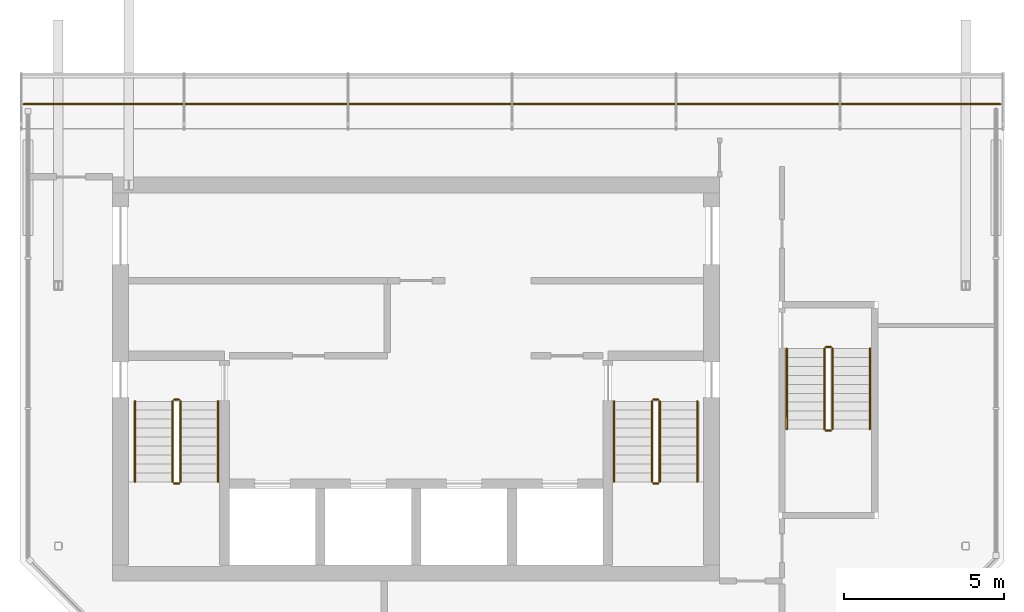
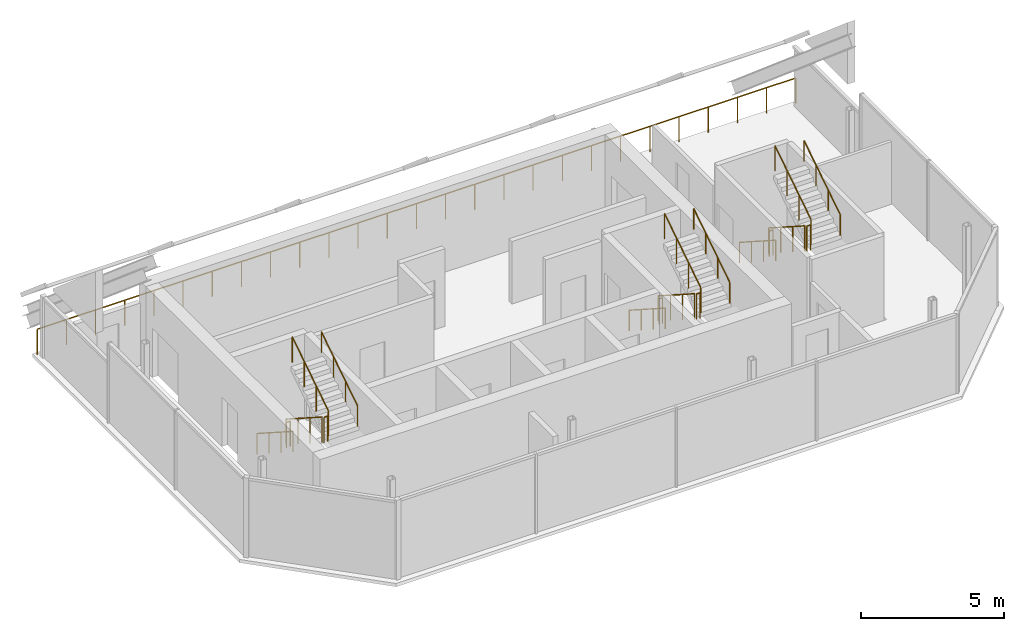
# One storey, part 4 of 4: 19 railings.
"""IFC4 building model written with IfcOpenShell, lengths in metres."""

from ifc_helpers import new_model, si_unit, direction, frame, origin, origin_2d, place, context, subcontext, project, spatial, circle, extrude, material, type_object, element, save


model = new_model("IFC4")

# Units and contexts
model_context = context("Model", 3, precision=1e-05, world=origin(), true_north=direction((0.0, 1.0)))
body_context = subcontext(model_context, "Body", "Model", "MODEL_VIEW")
ifc_project = project(units=[si_unit("LENGTHUNIT", "METRE"), si_unit("AREAUNIT", "SQUARE_METRE"), si_unit("VOLUMEUNIT", "CUBIC_METRE"), si_unit("PLANEANGLEUNIT", "RADIAN"), si_unit("MASSUNIT", "GRAM", prefix="KILO")], contexts=[model_context])

# Site, building, storey
site_placement = place(None, origin())
site = spatial("IfcSite", under=ifc_project, at=site_placement, CompositionType="ELEMENT")
building_placement = place(site_placement, origin())
building = spatial("IfcBuilding", under=site, at=building_placement, Name="Tskaro Facet Tower", CompositionType="ELEMENT")
storey_placement = place(building_placement, frame((0.0, 0.0, 308.10009765625)))
storey = spatial("IfcBuildingStorey", under=building, at=storey_placement, Name="L83", CompositionType="ELEMENT", Elevation=308.10009765625)

# Railings
ifc_material_1 = material(Name="Bronze anodised aluminium 6063-T6", Category="aluminium")
railing_type_1 = type_object("IfcRailingType", Name="Bronze guard rail (GD1)", PredefinedType="GUARDRAIL", material=ifc_material_1)
railing_1_placement = place(storey_placement, frame((18.280029296875, 2.927001953125, 0.0)))
element("IfcRailing", 1, at=railing_1_placement, inside=storey, type_object=railing_type_1, Name="Guard L83", PredefinedType="GUARDRAIL", context=body_context, shape_type="SweptSolid", body=[
    extrude(circle(Radius=0.02490234375, at=origin_2d()), frame((0.0, 0.0, 1.0751953125), z_axis=(-1.0, 0.0, 0.0), x_axis=(0.0, -1.0, 0.0)), (0.0, 0.0, 1.0), 30.56005859375),
    extrude(circle(Radius=0.02001953125, at=origin_2d()), origin(), (0.0, 0.0, 1.0), 1.050048828125),
    extrude(circle(Radius=0.02001953125, at=origin_2d()), frame((-1.17529296875, 0.0, 0.0)), (0.0, 0.0, 1.0), 1.050048828125),
    extrude(circle(Radius=0.02001953125, at=origin_2d()), frame((-2.350830078125, 0.0, 0.0)), (0.0, 0.0, 1.0), 1.050048828125),
    extrude(circle(Radius=0.02001953125, at=origin_2d()), frame((-3.526123046875, 0.0, 0.0)), (0.0, 0.0, 1.0), 1.050048828125),
    extrude(circle(Radius=0.02001953125, at=origin_2d()), frame((-4.70166015625, 0.0, 0.0)), (0.0, 0.0, 1.0), 1.050048828125),
    extrude(circle(Radius=0.02001953125, at=origin_2d()), frame((-5.876953125, 0.0, 0.0)), (0.0, 0.0, 1.0), 1.050048828125),
    extrude(circle(Radius=0.02001953125, at=origin_2d()), frame((-7.05224609375, 0.0, 0.0)), (0.0, 0.0, 1.0), 1.050048828125),
    extrude(circle(Radius=0.02001953125, at=origin_2d()), frame((-8.227783203125, 0.0, 0.0)), (0.0, 0.0, 1.0), 1.050048828125),
    extrude(circle(Radius=0.02001953125, at=origin_2d()), frame((-9.403076171875, 0.0, 0.0)), (0.0, 0.0, 1.0), 1.050048828125),
    extrude(circle(Radius=0.02001953125, at=origin_2d()), frame((-10.578369140625, 0.0, 0.0)), (0.0, 0.0, 1.0), 1.050048828125),
    extrude(circle(Radius=0.02001953125, at=origin_2d()), frame((-11.75390625, 0.0, 0.0)), (0.0, 0.0, 1.0), 1.050048828125),
    extrude(circle(Radius=0.02001953125, at=origin_2d()), frame((-12.92919921875, 0.0, 0.0)), (0.0, 0.0, 1.0), 1.050048828125),
    extrude(circle(Radius=0.02001953125, at=origin_2d()), frame((-14.104736328125, 0.0, 0.0)), (0.0, 0.0, 1.0), 1.050048828125),
    extrude(circle(Radius=0.02001953125, at=origin_2d()), frame((-15.280029296875, 0.0, 0.0)), (0.0, 0.0, 1.0), 1.050048828125),
    extrude(circle(Radius=0.02001953125, at=origin_2d()), frame((-16.455322265625, 0.0, 0.0)), (0.0, 0.0, 1.0), 1.050048828125),
    extrude(circle(Radius=0.02001953125, at=origin_2d()), frame((-17.630859375, 0.0, 0.0)), (0.0, 0.0, 1.0), 1.050048828125),
    extrude(circle(Radius=0.02001953125, at=origin_2d()), frame((-18.80615234375, 0.0, 0.0)), (0.0, 0.0, 1.0), 1.050048828125),
    extrude(circle(Radius=0.02001953125, at=origin_2d()), frame((-19.981689453125, 0.0, 0.0)), (0.0, 0.0, 1.0), 1.050048828125),
    extrude(circle(Radius=0.02001953125, at=origin_2d()), frame((-21.156982421875, 0.0, 0.0)), (0.0, 0.0, 1.0), 1.050048828125),
    extrude(circle(Radius=0.02001953125, at=origin_2d()), frame((-22.332275390625, 0.0, 0.0)), (0.0, 0.0, 1.0), 1.050048828125),
    extrude(circle(Radius=0.02001953125, at=origin_2d()), frame((-23.5078125, 0.0, 0.0)), (0.0, 0.0, 1.0), 1.050048828125),
    extrude(circle(Radius=0.02001953125, at=origin_2d()), frame((-24.68310546875, 0.0, 0.0)), (0.0, 0.0, 1.0), 1.050048828125),
    extrude(circle(Radius=0.02001953125, at=origin_2d()), frame((-25.8583984375, 0.0, 0.0)), (0.0, 0.0, 1.0), 1.050048828125),
    extrude(circle(Radius=0.02001953125, at=origin_2d()), frame((-27.033935546875, 0.0, 0.0)), (0.0, 0.0, 1.0), 1.050048828125),
    extrude(circle(Radius=0.02001953125, at=origin_2d()), frame((-28.209228515625, 0.0, 0.0)), (0.0, 0.0, 1.0), 1.050048828125),
    extrude(circle(Radius=0.02001953125, at=origin_2d()), frame((-29.384765625, 0.0, 0.0)), (0.0, 0.0, 1.0), 1.050048828125),
    extrude(circle(Radius=0.02001953125, at=origin_2d()), frame((-30.56005859375, 0.0, 0.0)), (0.0, 0.0, 1.0), 1.050048828125),
])
ifc_material_2 = material(Name="Stainless steel", Category="steel")
railing_type_2 = type_object("IfcRailingType", Name="RL-GUARD-1100", PredefinedType="GUARDRAIL", material=ifc_material_2)
railing_2_placement = place(storey_placement, frame((-7.625, -6.375, 0.179931640625)))
element("IfcRailing", 2, at=railing_2_placement, inside=storey, type_object=railing_type_2, Name="L83 ST-1 stair guard 1", PredefinedType="GUARDRAIL", context=body_context, shape_type="SweptSolid", body=[
    extrude(circle(Radius=0.02392578125, at=origin_2d()), frame((0.0, 0.0, 1.076171875), z_axis=(0.0, -0.841199657755, 0.540724639528), x_axis=(1.0, 0.0, 0.0)), (0.0, 0.0, 1.0), 2.995849609375),
    extrude(circle(Radius=0.02099609375, at=origin_2d()), origin(), (0.0, 0.0, 1.0), 1.052001953125),
    extrude(circle(Radius=0.02099609375, at=origin_2d()), frame((0.0, -0.840087890625, 0.5400390625)), (0.0, 0.0, 1.0), 1.052001953125),
    extrude(circle(Radius=0.02099609375, at=origin_2d()), frame((0.0, -1.679931640625, 1.079833984375)), (0.0, 0.0, 1.0), 1.052001953125),
    extrude(circle(Radius=0.02099609375, at=origin_2d()), frame((0.0, -2.52001953125, 1.619873046875)), (0.0, 0.0, 1.0), 1.052001953125),
])
railing_3_placement = place(storey_placement, frame((-7.574951171875, -8.945068359375, 1.7998046875)))
element("IfcRailing", 3, at=railing_3_placement, inside=storey, type_object=railing_type_2, Name="L83 ST-1 stair guard 2", PredefinedType="GUARDRAIL", context=body_context, shape_type="SweptSolid", body=[
    extrude(circle(Radius=0.02392578125, at=origin_2d()), frame((0.0, 0.0, 1.076171875), z_axis=(1.0, 0.0, 0.0), x_axis=(0.0, 1.0, 0.0)), (0.0, 0.0, 1.0), 0.14990234375),
    extrude(circle(Radius=0.02099609375, at=origin_2d()), origin(), (0.0, 0.0, 1.0), 1.052001953125),
    extrude(circle(Radius=0.02099609375, at=origin_2d()), frame((0.14990234375, 0.0, 0.0)), (0.0, 0.0, 1.0), 1.052001953125),
])
railing_4_placement = place(storey_placement, frame((-7.375, -8.89501953125, 1.97998046875)))
element("IfcRailing", 4, at=railing_4_placement, inside=storey, type_object=railing_type_2, Name="L83 ST-1 stair guard 3", PredefinedType="GUARDRAIL", context=body_context, shape_type="SweptSolid", body=[
    extrude(circle(Radius=0.02392578125, at=origin_2d()), frame((0.0, 0.0, 1.076171875), z_axis=(0.0, 0.841199657755, 0.540724639528), x_axis=(-1.0, 0.0, 0.0)), (0.0, 0.0, 1.0), 2.995849609375),
    extrude(circle(Radius=0.02099609375, at=origin_2d()), origin(), (0.0, 0.0, 1.0), 1.052001953125),
    extrude(circle(Radius=0.02099609375, at=origin_2d()), frame((0.0, 0.840087890625, 0.5400390625)), (0.0, 0.0, 1.0), 1.052001953125),
    extrude(circle(Radius=0.02099609375, at=origin_2d()), frame((0.0, 1.679931640625, 1.079833984375)), (0.0, 0.0, 1.0), 1.052001953125),
    extrude(circle(Radius=0.02099609375, at=origin_2d()), frame((0.0, 2.52001953125, 1.619873046875)), (0.0, 0.0, 1.0), 1.052001953125),
])
railing_5_placement = place(storey_placement, frame((-7.574951171875, -6.324951171875, 0.0)))
element("IfcRailing", 5, at=railing_5_placement, inside=storey, type_object=railing_type_2, Name="L83 ST-1 stair guard 4", PredefinedType="GUARDRAIL", context=body_context, shape_type="SweptSolid", body=[
    extrude(circle(Radius=0.02392578125, at=origin_2d()), frame((0.0, 0.0, 1.076171875), z_axis=(1.0, 0.0, 0.0), x_axis=(0.0, 1.0, 0.0)), (0.0, 0.0, 1.0), 0.14990234375),
    extrude(circle(Radius=0.02099609375, at=origin_2d()), origin(), (0.0, 0.0, 1.0), 1.052001953125),
    extrude(circle(Radius=0.02099609375, at=origin_2d()), frame((0.14990234375, 0.0, 0.0)), (0.0, 0.0, 1.0), 1.052001953125),
])
railing_6_placement = place(storey_placement, frame((7.375, -6.375, 0.179931640625)))
element("IfcRailing", 6, at=railing_6_placement, inside=storey, type_object=railing_type_2, Name="L83 ST-2 stair guard 1", PredefinedType="GUARDRAIL", context=body_context, shape_type="SweptSolid", body=[
    extrude(circle(Radius=0.02392578125, at=origin_2d()), frame((0.0, 0.0, 1.076171875), z_axis=(0.0, -0.841199657755, 0.540724639528), x_axis=(1.0, 0.0, 0.0)), (0.0, 0.0, 1.0), 2.995849609375),
    extrude(circle(Radius=0.02099609375, at=origin_2d()), origin(), (0.0, 0.0, 1.0), 1.052001953125),
    extrude(circle(Radius=0.02099609375, at=origin_2d()), frame((0.0, -0.840087890625, 0.5400390625)), (0.0, 0.0, 1.0), 1.052001953125),
    extrude(circle(Radius=0.02099609375, at=origin_2d()), frame((0.0, -1.679931640625, 1.079833984375)), (0.0, 0.0, 1.0), 1.052001953125),
    extrude(circle(Radius=0.02099609375, at=origin_2d()), frame((0.0, -2.52001953125, 1.619873046875)), (0.0, 0.0, 1.0), 1.052001953125),
])
railing_7_placement = place(storey_placement, frame((7.425048828125, -8.945068359375, 1.7998046875)))
element("IfcRailing", 7, at=railing_7_placement, inside=storey, type_object=railing_type_2, Name="L83 ST-2 stair guard 2", PredefinedType="GUARDRAIL", context=body_context, shape_type="SweptSolid", body=[
    extrude(circle(Radius=0.02392578125, at=origin_2d()), frame((0.0, 0.0, 1.076171875), z_axis=(1.0, 0.0, 0.0), x_axis=(0.0, 1.0, 0.0)), (0.0, 0.0, 1.0), 0.14990234375),
    extrude(circle(Radius=0.02099609375, at=origin_2d()), origin(), (0.0, 0.0, 1.0), 1.052001953125),
    extrude(circle(Radius=0.02099609375, at=origin_2d()), frame((0.14990234375, 0.0, 0.0)), (0.0, 0.0, 1.0), 1.052001953125),
])
railing_8_placement = place(storey_placement, frame((7.625, -8.89501953125, 1.97998046875)))
element("IfcRailing", 8, at=railing_8_placement, inside=storey, type_object=railing_type_2, Name="L83 ST-2 stair guard 3", PredefinedType="GUARDRAIL", context=body_context, shape_type="SweptSolid", body=[
    extrude(circle(Radius=0.02392578125, at=origin_2d()), frame((0.0, 0.0, 1.076171875), z_axis=(0.0, 0.841199657755, 0.540724639528), x_axis=(-1.0, 0.0, 0.0)), (0.0, 0.0, 1.0), 2.995849609375),
    extrude(circle(Radius=0.02099609375, at=origin_2d()), origin(), (0.0, 0.0, 1.0), 1.052001953125),
    extrude(circle(Radius=0.02099609375, at=origin_2d()), frame((0.0, 0.840087890625, 0.5400390625)), (0.0, 0.0, 1.0), 1.052001953125),
    extrude(circle(Radius=0.02099609375, at=origin_2d()), frame((0.0, 1.679931640625, 1.079833984375)), (0.0, 0.0, 1.0), 1.052001953125),
    extrude(circle(Radius=0.02099609375, at=origin_2d()), frame((0.0, 2.52001953125, 1.619873046875)), (0.0, 0.0, 1.0), 1.052001953125),
])
railing_9_placement = place(storey_placement, frame((7.425048828125, -6.324951171875, 0.0)))
element("IfcRailing", 9, at=railing_9_placement, inside=storey, type_object=railing_type_2, Name="L83 ST-2 stair guard 4", PredefinedType="GUARDRAIL", context=body_context, shape_type="SweptSolid", body=[
    extrude(circle(Radius=0.02392578125, at=origin_2d()), frame((0.0, 0.0, 1.076171875), z_axis=(1.0, 0.0, 0.0), x_axis=(0.0, 1.0, 0.0)), (0.0, 0.0, 1.0), 0.14990234375),
    extrude(circle(Radius=0.02099609375, at=origin_2d()), origin(), (0.0, 0.0, 1.0), 1.052001953125),
    extrude(circle(Radius=0.02099609375, at=origin_2d()), frame((0.14990234375, 0.0, 0.0)), (0.0, 0.0, 1.0), 1.052001953125),
])
railing_10_placement = place(storey_placement, frame((12.77490234375, -4.72509765625, 0.179931640625)))
element("IfcRailing", 10, at=railing_10_placement, inside=storey, type_object=railing_type_2, Name="L83 ST-4 stair guard 1", PredefinedType="GUARDRAIL", context=body_context, shape_type="SweptSolid", body=[
    extrude(circle(Radius=0.02392578125, at=origin_2d()), frame((0.0, 0.0, 1.076171875), z_axis=(0.0, -0.841199657755, 0.540724639528), x_axis=(1.0, 0.0, 0.0)), (0.0, 0.0, 1.0), 2.995849609375),
    extrude(circle(Radius=0.02099609375, at=origin_2d()), origin(), (0.0, 0.0, 1.0), 1.052001953125),
    extrude(circle(Radius=0.02099609375, at=origin_2d()), frame((0.0, -0.840087890625, 0.5400390625)), (0.0, 0.0, 1.0), 1.052001953125),
    extrude(circle(Radius=0.02099609375, at=origin_2d()), frame((0.0, -1.679931640625, 1.079833984375)), (0.0, 0.0, 1.0), 1.052001953125),
    extrude(circle(Radius=0.02099609375, at=origin_2d()), frame((0.0, -2.52001953125, 1.619873046875)), (0.0, 0.0, 1.0), 1.052001953125),
])
railing_11_placement = place(storey_placement, frame((12.824951171875, -7.294921875, 1.7998046875)))
element("IfcRailing", 11, at=railing_11_placement, inside=storey, type_object=railing_type_2, Name="L83 ST-4 stair guard 2", PredefinedType="GUARDRAIL", context=body_context, shape_type="SweptSolid", body=[
    extrude(circle(Radius=0.02392578125, at=origin_2d()), frame((0.0, 0.0, 1.076171875), z_axis=(1.0, 0.0, 0.0), x_axis=(0.0, 1.0, 0.0)), (0.0, 0.0, 1.0), 0.150146484375),
    extrude(circle(Radius=0.02099609375, at=origin_2d()), origin(), (0.0, 0.0, 1.0), 1.052001953125),
    extrude(circle(Radius=0.02099609375, at=origin_2d()), frame((0.150146484375, 0.0, 0.0)), (0.0, 0.0, 1.0), 1.052001953125),
])
railing_12_placement = place(storey_placement, frame((13.02490234375, -7.2451171875, 1.97998046875)))
element("IfcRailing", 12, at=railing_12_placement, inside=storey, type_object=railing_type_2, Name="L83 ST-4 stair guard 3", PredefinedType="GUARDRAIL", context=body_context, shape_type="SweptSolid", body=[
    extrude(circle(Radius=0.02392578125, at=origin_2d()), frame((0.0, 0.0, 1.076171875), z_axis=(0.0, 0.841199657755, 0.540724639528), x_axis=(-1.0, 0.0, 0.0)), (0.0, 0.0, 1.0), 2.995849609375),
    extrude(circle(Radius=0.02099609375, at=origin_2d()), origin(), (0.0, 0.0, 1.0), 1.052001953125),
    extrude(circle(Radius=0.02099609375, at=origin_2d()), frame((0.0, 0.840087890625, 0.5400390625)), (0.0, 0.0, 1.0), 1.052001953125),
    extrude(circle(Radius=0.02099609375, at=origin_2d()), frame((0.0, 1.679931640625, 1.079833984375)), (0.0, 0.0, 1.0), 1.052001953125),
    extrude(circle(Radius=0.02099609375, at=origin_2d()), frame((0.0, 2.52001953125, 1.619873046875)), (0.0, 0.0, 1.0), 1.052001953125),
])
railing_13_placement = place(storey_placement, frame((12.824951171875, -4.675048828125, 0.0)))
element("IfcRailing", 13, at=railing_13_placement, inside=storey, type_object=railing_type_2, Name="L83 ST-4 stair guard 4", PredefinedType="GUARDRAIL", context=body_context, shape_type="SweptSolid", body=[
    extrude(circle(Radius=0.02392578125, at=origin_2d()), frame((0.0, 0.0, 1.076171875), z_axis=(1.0, 0.0, 0.0), x_axis=(0.0, 1.0, 0.0)), (0.0, 0.0, 1.0), 0.150146484375),
    extrude(circle(Radius=0.02099609375, at=origin_2d()), origin(), (0.0, 0.0, 1.0), 1.052001953125),
    extrude(circle(Radius=0.02099609375, at=origin_2d()), frame((0.150146484375, 0.0, 0.0)), (0.0, 0.0, 1.0), 1.052001953125),
])
railing_type_3 = type_object("IfcRailingType", Name="RL-HANDRAIL-900", PredefinedType="HANDRAIL", material=ifc_material_2)
railing_14_placement = place(storey_placement, frame((-8.800048828125, -6.375, 0.179931640625)))
element("IfcRailing", 14, at=railing_14_placement, inside=storey, type_object=railing_type_3, Name="L83 ST-1 stair handrail 1", PredefinedType="HANDRAIL", context=body_context, shape_type="SweptSolid", body=[
    extrude(circle(Radius=0.02392578125, at=origin_2d()), frame((0.0, 0.0, 0.8759765625), z_axis=(0.0, -0.841199657755, 0.540724639528), x_axis=(1.0, 0.0, 0.0)), (0.0, 0.0, 1.0), 2.995849609375),
    extrude(circle(Radius=0.02099609375, at=origin_2d()), origin(), (0.0, 0.0, 1.0), 0.851806640625),
    extrude(circle(Radius=0.02099609375, at=origin_2d()), frame((0.0, -0.840087890625, 0.5400390625)), (0.0, 0.0, 1.0), 0.851806640625),
    extrude(circle(Radius=0.02099609375, at=origin_2d()), frame((0.0, -1.679931640625, 1.079833984375)), (0.0, 0.0, 1.0), 0.851806640625),
    extrude(circle(Radius=0.02099609375, at=origin_2d()), frame((0.0, -2.52001953125, 1.619873046875)), (0.0, 0.0, 1.0), 0.851806640625),
])
railing_15_placement = place(storey_placement, frame((-6.199951171875, -8.89501953125, 1.97998046875)))
element("IfcRailing", 15, at=railing_15_placement, inside=storey, type_object=railing_type_3, Name="L83 ST-1 stair handrail 2", PredefinedType="HANDRAIL", context=body_context, shape_type="SweptSolid", body=[
    extrude(circle(Radius=0.02392578125, at=origin_2d()), frame((0.0, 0.0, 0.8759765625), z_axis=(0.0, 0.841199657755, 0.540724639528), x_axis=(-1.0, 0.0, 0.0)), (0.0, 0.0, 1.0), 2.995849609375),
    extrude(circle(Radius=0.02099609375, at=origin_2d()), origin(), (0.0, 0.0, 1.0), 0.851806640625),
    extrude(circle(Radius=0.02099609375, at=origin_2d()), frame((0.0, 0.840087890625, 0.5400390625)), (0.0, 0.0, 1.0), 0.851806640625),
    extrude(circle(Radius=0.02099609375, at=origin_2d()), frame((0.0, 1.679931640625, 1.079833984375)), (0.0, 0.0, 1.0), 0.851806640625),
    extrude(circle(Radius=0.02099609375, at=origin_2d()), frame((0.0, 2.52001953125, 1.619873046875)), (0.0, 0.0, 1.0), 0.851806640625),
])
railing_16_placement = place(storey_placement, frame((6.199951171875, -6.375, 0.179931640625)))
element("IfcRailing", 16, at=railing_16_placement, inside=storey, type_object=railing_type_3, Name="L83 ST-2 stair handrail 1", PredefinedType="HANDRAIL", context=body_context, shape_type="SweptSolid", body=[
    extrude(circle(Radius=0.02392578125, at=origin_2d()), frame((0.0, 0.0, 0.8759765625), z_axis=(0.0, -0.841199657755, 0.540724639528), x_axis=(1.0, 0.0, 0.0)), (0.0, 0.0, 1.0), 2.995849609375),
    extrude(circle(Radius=0.02099609375, at=origin_2d()), origin(), (0.0, 0.0, 1.0), 0.851806640625),
    extrude(circle(Radius=0.02099609375, at=origin_2d()), frame((0.0, -0.840087890625, 0.5400390625)), (0.0, 0.0, 1.0), 0.851806640625),
    extrude(circle(Radius=0.02099609375, at=origin_2d()), frame((0.0, -1.679931640625, 1.079833984375)), (0.0, 0.0, 1.0), 0.851806640625),
    extrude(circle(Radius=0.02099609375, at=origin_2d()), frame((0.0, -2.52001953125, 1.619873046875)), (0.0, 0.0, 1.0), 0.851806640625),
])
railing_17_placement = place(storey_placement, frame((8.800048828125, -8.89501953125, 1.97998046875)))
element("IfcRailing", 17, at=railing_17_placement, inside=storey, type_object=railing_type_3, Name="L83 ST-2 stair handrail 2", PredefinedType="HANDRAIL", context=body_context, shape_type="SweptSolid", body=[
    extrude(circle(Radius=0.02392578125, at=origin_2d()), frame((0.0, 0.0, 0.8759765625), z_axis=(0.0, 0.841199657755, 0.540724639528), x_axis=(-1.0, 0.0, 0.0)), (0.0, 0.0, 1.0), 2.995849609375),
    extrude(circle(Radius=0.02099609375, at=origin_2d()), origin(), (0.0, 0.0, 1.0), 0.851806640625),
    extrude(circle(Radius=0.02099609375, at=origin_2d()), frame((0.0, 0.840087890625, 0.5400390625)), (0.0, 0.0, 1.0), 0.851806640625),
    extrude(circle(Radius=0.02099609375, at=origin_2d()), frame((0.0, 1.679931640625, 1.079833984375)), (0.0, 0.0, 1.0), 0.851806640625),
    extrude(circle(Radius=0.02099609375, at=origin_2d()), frame((0.0, 2.52001953125, 1.619873046875)), (0.0, 0.0, 1.0), 0.851806640625),
])
railing_18_placement = place(storey_placement, frame((11.60009765625, -4.72509765625, 0.179931640625)))
element("IfcRailing", 18, at=railing_18_placement, inside=storey, type_object=railing_type_3, Name="L83 ST-4 stair handrail 1", PredefinedType="HANDRAIL", context=body_context, shape_type="SweptSolid", body=[
    extrude(circle(Radius=0.02392578125, at=origin_2d()), frame((0.0, 0.0, 0.8759765625), z_axis=(0.0, -0.841199657755, 0.540724639528), x_axis=(1.0, 0.0, 0.0)), (0.0, 0.0, 1.0), 2.995849609375),
    extrude(circle(Radius=0.02099609375, at=origin_2d()), origin(), (0.0, 0.0, 1.0), 0.851806640625),
    extrude(circle(Radius=0.02099609375, at=origin_2d()), frame((0.0, -0.840087890625, 0.5400390625)), (0.0, 0.0, 1.0), 0.851806640625),
    extrude(circle(Radius=0.02099609375, at=origin_2d()), frame((0.0, -1.679931640625, 1.079833984375)), (0.0, 0.0, 1.0), 0.851806640625),
    extrude(circle(Radius=0.02099609375, at=origin_2d()), frame((0.0, -2.52001953125, 1.619873046875)), (0.0, 0.0, 1.0), 0.851806640625),
])
railing_19_placement = place(storey_placement, frame((14.199951171875, -7.2451171875, 1.97998046875)))
element("IfcRailing", 19, at=railing_19_placement, inside=storey, type_object=railing_type_3, Name="L83 ST-4 stair handrail 2", PredefinedType="HANDRAIL", context=body_context, shape_type="SweptSolid", body=[
    extrude(circle(Radius=0.02392578125, at=origin_2d()), frame((0.0, 0.0, 0.8759765625), z_axis=(0.0, 0.841199657755, 0.540724639528), x_axis=(-1.0, 0.0, 0.0)), (0.0, 0.0, 1.0), 2.995849609375),
    extrude(circle(Radius=0.02099609375, at=origin_2d()), origin(), (0.0, 0.0, 1.0), 0.851806640625),
    extrude(circle(Radius=0.02099609375, at=origin_2d()), frame((0.0, 0.840087890625, 0.5400390625)), (0.0, 0.0, 1.0), 0.851806640625),
    extrude(circle(Radius=0.02099609375, at=origin_2d()), frame((0.0, 1.679931640625, 1.079833984375)), (0.0, 0.0, 1.0), 0.851806640625),
    extrude(circle(Radius=0.02099609375, at=origin_2d()), frame((0.0, 2.52001953125, 1.619873046875)), (0.0, 0.0, 1.0), 0.851806640625),
])

save(model, "model.ifc")
